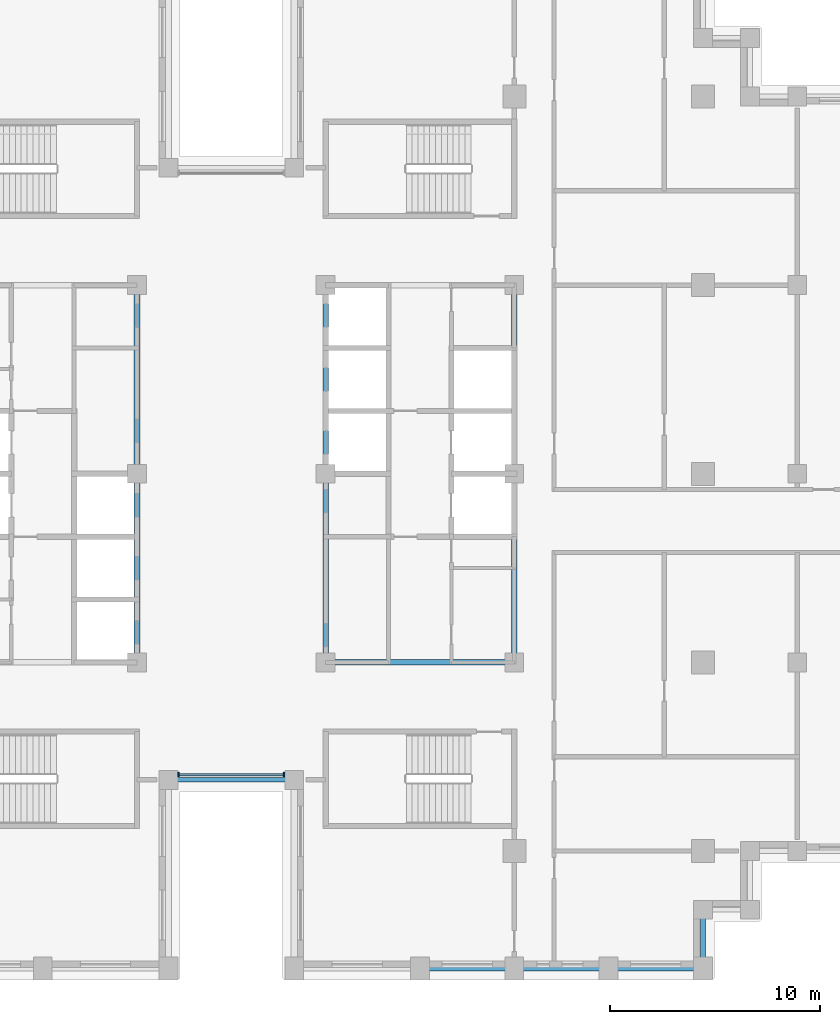
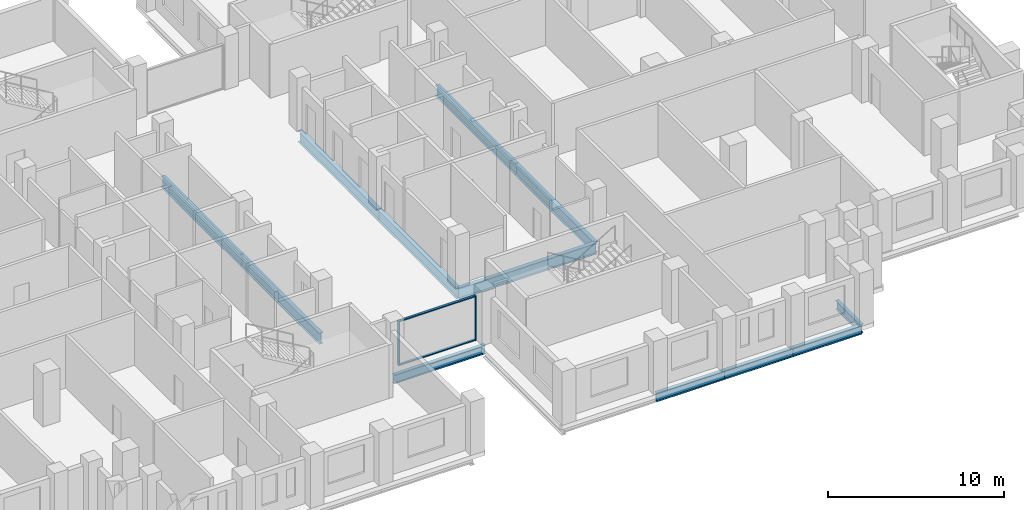
# One storey, part 2 of 15: 12 beams, 4 members, 1 element without a shape of its own.
"""IFC4 building model written with IfcOpenShell, lengths in metres."""

import ifcopenshell
import ifcopenshell.guid

model = None  # the IFC model being written
_history = None  # IfcOwnerHistory: only IFC2X3 demands one
_inside = {}  # id of a spatial element -> (the spatial element, [elements in it])
_under = {}  # id of a project, library or spatial element -> (it, [spatial elements below it])
_declared = {}  # id of a project -> (the project, [libraries it declares])
_typed = {}  # id of a type object -> (the type object, [elements of that type])
_made_of = {}  # id of a material, layer set ... -> (it, [elements and type objects made of it])


def new_model(schema):
    """Start an empty IFC model of exactly this schema.

    Asked for "IFC4X3", IfcOpenShell would pick the latest addendum, in which some entities
    have other attributes; the version numbers below select the first issue.
    IFC2X3 requires an IfcOwnerHistory on every rooted entity: one is made here for all.
    """
    global model, _history
    if schema == "IFC4X3":
        model = ifcopenshell.file(schema_version=(4, 3, 0, 0))
    else:
        model = ifcopenshell.file(schema=schema)
    _inside.clear()
    _under.clear()
    _declared.clear()
    _typed.clear()
    _made_of.clear()
    _history = None
    if model.schema == "IFC2X3":
        org = make("IfcOrganization", Name="unknown")
        user = make(
            "IfcPersonAndOrganization",
            ThePerson=make("IfcPerson", FamilyName="unknown"),
            TheOrganization=org,
        )
        app = make(
            "IfcApplication",
            ApplicationDeveloper=org,
            Version="unknown",
            ApplicationFullName="unknown",
            ApplicationIdentifier="unknown",
        )
        _history = make(
            "IfcOwnerHistory",
            OwningUser=user,
            OwningApplication=app,
            ChangeAction="ADDED",
            CreationDate=0,
        )
    return model


def make(cls, **values):
    """One entity of the class cls with the attributes given. An attribute that is None is left unset."""
    return model.create_entity(
        cls, **{name: value for name, value in values.items() if value is not None}
    )


def rooted(cls, **values):
    """An entity with a GlobalId (a new one), such as an element, a storey or a relation."""
    return make(cls, GlobalId=ifcopenshell.guid.new(), OwnerHistory=_history, **values)


def si_unit(unit_type, name, prefix=None):
    """IfcSIUnit, for example si_unit("LENGTHUNIT", "METRE", prefix="MILLI")."""
    return make("IfcSIUnit", UnitType=unit_type, Prefix=prefix, Name=name)


def assignment(units):
    """IfcUnitAssignment: the units of a project."""
    return None if units is None else make("IfcUnitAssignment", Units=units)


def point(xyz):
    """IfcCartesianPoint."""
    return None if xyz is None else make("IfcCartesianPoint", Coordinates=xyz)


def direction(xyz):
    """IfcDirection."""
    return None if xyz is None else make("IfcDirection", DirectionRatios=xyz)


def frame(location, z_axis=None, x_axis=None):
    """IfcAxis2Placement3D, a coordinate frame: its origin and axes. An axis left out is left unset."""
    return make(
        "IfcAxis2Placement3D",
        Location=point(location),
        Axis=direction(z_axis),
        RefDirection=direction(x_axis),
    )


def frame_2d(location, x_axis=None):
    """IfcAxis2Placement2D, a coordinate frame in the plane: its origin and x axis."""
    return make(
        "IfcAxis2Placement2D", Location=point(location), RefDirection=direction(x_axis)
    )


def origin():
    """The frame at (0, 0, 0) with its axes left unset."""
    return frame((0.0, 0.0, 0.0))


def origin_2d():
    """The frame at (0, 0) in the plane with its x axis left unset."""
    return frame_2d((0.0, 0.0))


def place(relative_to, where):
    """IfcLocalPlacement: puts the frame where relative to a parent placement (None: the world)."""
    return make(
        "IfcLocalPlacement", PlacementRelTo=relative_to, RelativePlacement=where
    )


def context(
    kind, dimensions, precision=None, world=None, true_north=None, identifier=None
):
    """IfcGeometricRepresentationContext, for example the 3D "Model" context."""
    return make(
        "IfcGeometricRepresentationContext",
        ContextIdentifier=identifier,
        ContextType=kind,
        CoordinateSpaceDimension=dimensions,
        Precision=precision,
        WorldCoordinateSystem=world,
        TrueNorth=true_north,
    )


def subcontext(parent, identifier, kind, view, scale=None):
    """IfcGeometricRepresentationSubContext, for example "Body" below "Model"."""
    return make(
        "IfcGeometricRepresentationSubContext",
        ContextIdentifier=identifier,
        ContextType=kind,
        ParentContext=parent,
        TargetScale=scale,
        TargetView=view,
    )


def project(units=None, contexts=None):
    """IfcProject with its units and contexts."""
    return rooted(
        "IfcProject",
        Name="project",
        RepresentationContexts=contexts,
        UnitsInContext=assignment(units),
    )


def spatial(cls, under=None, at=None, **own):
    """A site, building, storey or space (cls), placed at a placement, below another one or the project."""
    s = rooted(cls, ObjectPlacement=at, **own)
    if under is not None:
        _under.setdefault(under.id(), (under, []))[1].append(s)
    return s


def profile(cls, at=None, kind="AREA", **sizes):
    """A parametric profile (cls). Its sizes go by their IFC names, for example OverallWidth=200.0."""
    return make(cls, ProfileType=kind, Position=at, **sizes)


def rectangle(**sizes):
    """IfcRectangleProfileDef."""
    return profile("IfcRectangleProfileDef", **sizes)


def i_section(**sizes):
    """IfcIShapeProfileDef."""
    return profile("IfcIShapeProfileDef", **sizes)


def extrude(swept, where, along, depth):
    """IfcExtrudedAreaSolid: the profile swept, set in the frame where, extruded along a direction by depth."""
    return make(
        "IfcExtrudedAreaSolid",
        SweptArea=swept,
        Position=where,
        ExtrudedDirection=direction(along),
        Depth=depth,
    )


def shape(context_of_items, identifier, shape_type, items):
    """IfcShapeRepresentation: the items that make up one representation, for example the "Body"."""
    return make(
        "IfcShapeRepresentation",
        ContextOfItems=context_of_items,
        RepresentationIdentifier=identifier,
        RepresentationType=shape_type,
        Items=items,
    )


def material(Name=None, Category=None):
    """IfcMaterial."""
    return make("IfcMaterial", Name=Name, Category=Category)


def layer(
    of_material, thickness, ventilated=None, Name=None, Category=None, Priority=None
):
    """IfcMaterialLayer: one layer of a wall or slab, of a material (None: an air gap)."""
    return make(
        "IfcMaterialLayer",
        Material=of_material,
        LayerThickness=thickness,
        IsVentilated=ventilated,
        Name=Name,
        Category=Category,
        Priority=Priority,
    )


def layer_set(layers, Name=None):
    """IfcMaterialLayerSet."""
    return make("IfcMaterialLayerSet", MaterialLayers=layers, LayerSetName=Name)


def material_profile(
    of_material, cross_section, Name=None, Category=None, Priority=None
):
    """IfcMaterialProfile: a cross section and its material."""
    return make(
        "IfcMaterialProfile",
        Name=Name,
        Material=of_material,
        Profile=cross_section,
        Priority=Priority,
        Category=Category,
    )


def profile_set(profiles, Name=None, composite=None):
    """IfcMaterialProfileSet."""
    return make(
        "IfcMaterialProfileSet",
        Name=Name,
        MaterialProfiles=profiles,
        CompositeProfile=composite,
    )


def made_of(thing, what):
    """Note that an element or type object is made of a material, layer set ...; save() writes the relation."""
    if what is not None:
        _made_of.setdefault(what.id(), (what, []))[1].append(thing)
    return thing


def type_object(cls, material=None, **own):
    """A type object (cls), such as IfcWallType, which elements share."""
    return made_of(rooted(cls, **own), material)


def element(
    cls,
    number,
    at=None,
    inside=None,
    cuts=None,
    type_object=None,
    material=None,
    context=None,
    identifier="Body",
    shape_type=None,
    held_by="IfcProductDefinitionShape",
    body=None,
    shapes=None,
    **own,
):
    """One element of the class cls, such as IfcWall. Its Tag is "e" and its number.

    at: its placement. inside: the storey or other place that contains it. cuts: it is an
    opening in that element (IfcRelVoidsElement). A single representation is given by context,
    identifier, shape_type and body (its items); several are given by shapes. held_by: the class
    of the entity that holds the representations. save() writes the other relations.
    """
    e = rooted(cls, Tag="e%d" % number, ObjectPlacement=at, **own)
    if body is not None:
        shapes = [shape(context, identifier, shape_type, body)]
    if shapes is not None:
        e.Representation = make(held_by, Representations=shapes)
    if inside is not None:
        _inside.setdefault(inside.id(), (inside, []))[1].append(e)
    if cuts is not None:
        rooted(
            "IfcRelVoidsElement", RelatingBuildingElement=cuts, RelatedOpeningElement=e
        )
    if type_object is not None:
        _typed.setdefault(type_object.id(), (type_object, []))[1].append(e)
    return made_of(e, material)


def aggregate(whole, parts):
    """IfcRelAggregates: a whole, such as a stair, and the parts it consists of."""
    return rooted("IfcRelAggregates", RelatingObject=whole, RelatedObjects=parts)


def save(model, path):
    """Write the relations noted so far, then the file.

    IfcRelAggregates (storeys below a building ...), IfcRelContainedInSpatialStructure (elements
    in a storey), IfcRelDefinesByType, IfcRelAssociatesMaterial and IfcRelDeclares: one each for
    every whole, place, type object, material and project.
    """
    for whole, parts in _under.values():
        aggregate(whole, parts)
    for where, things in _inside.values():
        rooted(
            "IfcRelContainedInSpatialStructure",
            RelatedElements=things,
            RelatingStructure=where,
        )
    for kind, things in _typed.values():
        rooted("IfcRelDefinesByType", RelatedObjects=things, RelatingType=kind)
    for what, things in _made_of.values():
        rooted("IfcRelAssociatesMaterial", RelatedObjects=things, RelatingMaterial=what)
    for by, libraries in _declared.values():
        rooted("IfcRelDeclares", RelatingContext=by, RelatedDefinitions=libraries)
    model.write(path)


model = new_model("IFC4")

# Units and contexts
model_context = context("Model", 3, precision=1e-05, world=origin(), true_north=direction((0.0, 1.0)))
body_context = subcontext(model_context, "Body", "Model", "MODEL_VIEW")
ifc_project = project(units=[si_unit("LENGTHUNIT", "METRE"), si_unit("AREAUNIT", "SQUARE_METRE"), si_unit("VOLUMEUNIT", "CUBIC_METRE"), si_unit("PLANEANGLEUNIT", "RADIAN"), si_unit("MASSUNIT", "GRAM", prefix="KILO")], contexts=[model_context])

# Site, building, storey
site_placement = place(None, origin())
site = spatial("IfcSite", under=ifc_project, at=site_placement, CompositionType="ELEMENT")
building_placement = place(site_placement, origin())
building = spatial("IfcBuilding", under=site, at=building_placement, Name="Corbelhall Arena Tower", CompositionType="ELEMENT")
storey_placement = place(building_placement, frame((0.0, 0.0, 134.0)))
storey = spatial("IfcBuildingStorey", under=building, at=storey_placement, Name="L25", CompositionType="ELEMENT", Elevation=134.0)

# Curtain wall, members
ifc_material_1 = material(Name="Aluminium black anodised", Category="aluminium")
ifc_layer = layer(ifc_material_1, 0.199951171875)
ifc_layer_set = layer_set([ifc_layer], Name="EV-CW1 Slot back wall")
curtain_wall_type = type_object("IfcCurtainWallType", Name="EV-CW1 Slot back wall", PredefinedType="NOTDEFINED", material=ifc_layer_set)
curtain_wall_placement = place(storey_placement, origin())
curtain_wall = element("IfcCurtainWall", 1, at=curtain_wall_placement, inside=storey, type_object=curtain_wall_type, Name="Curtain wall CW1", PredefinedType="NOTDEFINED")
ifc_material_profile_1 = material_profile(ifc_material_1, rectangle(XDim=0.199951171875, YDim=0.074951171875, at=origin_2d()))
ifc_profile_set_1 = profile_set([ifc_material_profile_1], Name="Aluminium black anodised")
member_type_1 = type_object("IfcMemberType", Name="EV-CW1-MULLION", PredefinedType="MULLION", material=ifc_profile_set_1)
member_1_placement = place(storey_placement, frame((-2.512451171875, -14.35009765625, 0.0), z_axis=(0.0, 0.0, 1.0), x_axis=(0.0, 1.0, 0.0)))
member_1 = element("IfcMember", 2, at=member_1_placement, type_object=member_type_1, Name="CW1 mullion 1", PredefinedType="MULLION", context=body_context, shape_type="SweptSolid", body=[
    extrude(rectangle(XDim=0.199951171875, YDim=0.074951171875, at=origin_2d()), origin(), (0.0, 0.0, 1.0), 3.10009765625),
])
member_2_placement = place(storey_placement, frame((2.512451171875, -14.35009765625, 0.0), z_axis=(0.0, 0.0, 1.0), x_axis=(0.0, 1.0, 0.0)))
member_2 = element("IfcMember", 3, at=member_2_placement, type_object=member_type_1, Name="CW1 mullion 2", PredefinedType="MULLION", context=body_context, shape_type="SweptSolid", body=[
    extrude(rectangle(XDim=0.199951171875, YDim=0.074951171875, at=origin_2d()), origin(), (0.0, 0.0, 1.0), 3.10009765625),
])
ifc_material_profile_2 = material_profile(ifc_material_1, rectangle(XDim=0.14990234375, YDim=0.074951171875, at=origin_2d()))
ifc_profile_set_2 = profile_set([ifc_material_profile_2], Name="Aluminium black anodised")
member_type_2 = type_object("IfcMemberType", Name="EV-CW1-TRANSOM", PredefinedType="USERDEFINED", material=ifc_profile_set_2)
member_3_placement = place(storey_placement, frame((-2.47509765625, -14.35009765625, 0.03759765625), z_axis=(1.0, 0.0, 0.0), x_axis=(0.0, 1.0, 0.0)))
member_3 = element("IfcMember", 4, at=member_3_placement, type_object=member_type_2, Name="CW1 transom 1.1", ObjectType="transom", PredefinedType="USERDEFINED", context=body_context, shape_type="SweptSolid", body=[
    extrude(rectangle(XDim=0.14990234375, YDim=0.074951171875, at=origin_2d()), origin(), (0.0, 0.0, 1.0), 4.9501953125),
])
member_4_placement = place(storey_placement, frame((-2.47509765625, -14.35009765625, 3.0625), z_axis=(1.0, 0.0, 0.0), x_axis=(0.0, 1.0, 0.0)))
member_4 = element("IfcMember", 5, at=member_4_placement, type_object=member_type_2, Name="CW1 transom 1.2", ObjectType="transom", PredefinedType="USERDEFINED", context=body_context, shape_type="SweptSolid", body=[
    extrude(rectangle(XDim=0.14990234375, YDim=0.074951171875, at=origin_2d()), origin(), (0.0, 0.0, 1.0), 4.9501953125),
])
aggregate(curtain_wall, [member_1, member_2, member_3, member_4])

# Beams
ifc_material_2 = material(Name="Steel ASTM A992 Gr50", Category="steel")
ifc_material_profile_3 = material_profile(ifc_material_2, i_section(OverallWidth=0.2666015625, OverallDepth=0.761962890625, WebThickness=0.014404296875, FlangeThickness=0.021484375, at=origin_2d()))
ifc_profile_set_3 = profile_set([ifc_material_profile_3], Name="Steel ASTM A992 Gr50")
beam_type_1 = type_object("IfcBeamType", Name="ST-BEAM-W30x116", PredefinedType="BEAM", material=ifc_profile_set_3)
for number, where, z_axis, x_axis, name in (
    (6, (-4.5, -9.0, -0.680908203125), (0.0, 1.0, 0.0), (-1.0, 0.0, 0.0), "Beam CEW 3"),
    (7, (-4.5, 0.0, -0.680908203125), (0.0, 1.0, 0.0), (-1.0, 0.0, 0.0), "Beam CEW 4"),
    (8, (4.5, -9.0, -0.680908203125), (0.0, 1.0, 0.0), (-1.0, 0.0, 0.0), "Beam CEE 7"),
    (9, (4.5, 0.0, -0.680908203125), (0.0, 1.0, 0.0), (-1.0, 0.0, 0.0), "Beam CEE 8"),
    (10, (13.5, -9.0, -0.680908203125), (0.0, 1.0, 0.0), (-1.0, 0.0, 0.0), "Beam CEE 9"),
    (11, (13.5, 0.0, -0.680908203125), (0.0, 1.0, 0.0), (-1.0, 0.0, 0.0), "Beam CEE 10"),
    (12, (4.5, -9.0, -0.680908203125), (1.0, 0.0, 0.0), (0.0, 1.0, 0.0), "Beam CEE 11"),
):
    element("IfcBeam", number, at=place(storey_placement, frame(where, z_axis=z_axis, x_axis=x_axis)), inside=storey, type_object=beam_type_1, Name=name, PredefinedType="BEAM", context=body_context, shape_type="SweptSolid", body=[
        extrude(i_section(OverallWidth=0.2666015625, OverallDepth=0.761962890625, WebThickness=0.014404296875, FlangeThickness=0.021484375, at=origin_2d()), origin(), (0.0, 0.0, 1.0), 9.0),
    ])
ifc_material_profile_4 = material_profile(ifc_material_2, i_section(OverallWidth=0.22900390625, OverallDepth=0.612060546875, WebThickness=0.011962890625, FlangeThickness=0.01953125, at=origin_2d()))
ifc_profile_set_4 = profile_set([ifc_material_profile_4], Name="Steel ASTM A992 Gr50")
beam_type_2 = type_object("IfcBeamType", Name="ST-SPANDREL-W24x84", PredefinedType="SPANDREL", material=ifc_profile_set_4)
for number, where, z_axis, x_axis, name in (
    (13, (13.5, -23.60009765625, -0.60595703125), (-1.0, 0.0, 0.0), (0.0, -1.0, 0.0), "Beam SP 29"),
    (14, (18.0, -23.60009765625, -0.60595703125), (-1.0, 0.0, 0.0), (0.0, -1.0, 0.0), "Beam SP 30"),
    (15, (22.5, -23.60009765625, -0.60595703125), (-1.0, 0.0, 0.0), (0.0, -1.0, 0.0), "Beam SP 31"),
):
    element("IfcBeam", number, at=place(storey_placement, frame(where, z_axis=z_axis, x_axis=x_axis)), inside=storey, type_object=beam_type_2, Name=name, PredefinedType="SPANDREL", context=body_context, shape_type="SweptSolid", body=[
        extrude(i_section(OverallWidth=0.22900390625, OverallDepth=0.612060546875, WebThickness=0.011962890625, FlangeThickness=0.01953125, at=origin_2d()), origin(), (0.0, 0.0, 1.0), 4.5),
    ])
beam_1_placement = place(storey_placement, frame((3.0, -14.60009765625, -0.60595703125), z_axis=(-1.0, 0.0, 0.0), x_axis=(0.0, -1.0, 0.0)))
element("IfcBeam", 16, at=beam_1_placement, inside=storey, type_object=beam_type_2, Name="Beam SP 41", PredefinedType="SPANDREL", context=body_context, shape_type="SweptSolid", body=[
    extrude(i_section(OverallWidth=0.22900390625, OverallDepth=0.612060546875, WebThickness=0.011962890625, FlangeThickness=0.01953125, at=origin_2d()), origin(), (0.0, 0.0, 1.0), 6.0),
])
beam_2_placement = place(storey_placement, frame((22.5, -20.800048828125, -0.60595703125), z_axis=(0.0, -1.0, 0.0), x_axis=(1.0, 0.0, 0.0)))
element("IfcBeam", 17, at=beam_2_placement, inside=storey, type_object=beam_type_2, Name="Beam SP 49", PredefinedType="SPANDREL", context=body_context, shape_type="SweptSolid", body=[
    extrude(i_section(OverallWidth=0.22900390625, OverallDepth=0.612060546875, WebThickness=0.011962890625, FlangeThickness=0.01953125, at=origin_2d()), origin(), (0.0, 0.0, 1.0), 2.800048828125),
])

save(model, "model.ifc")
